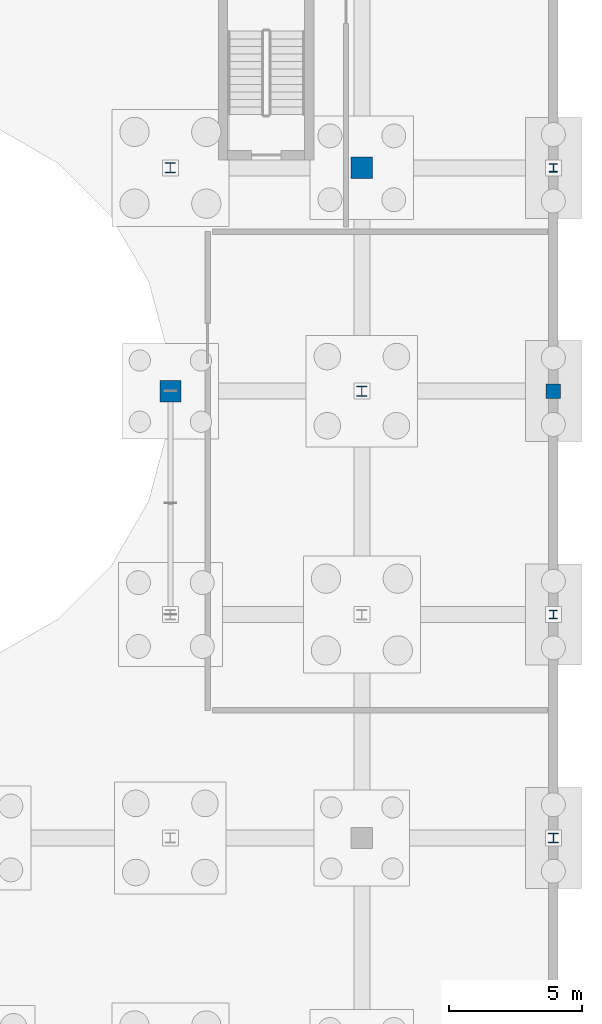
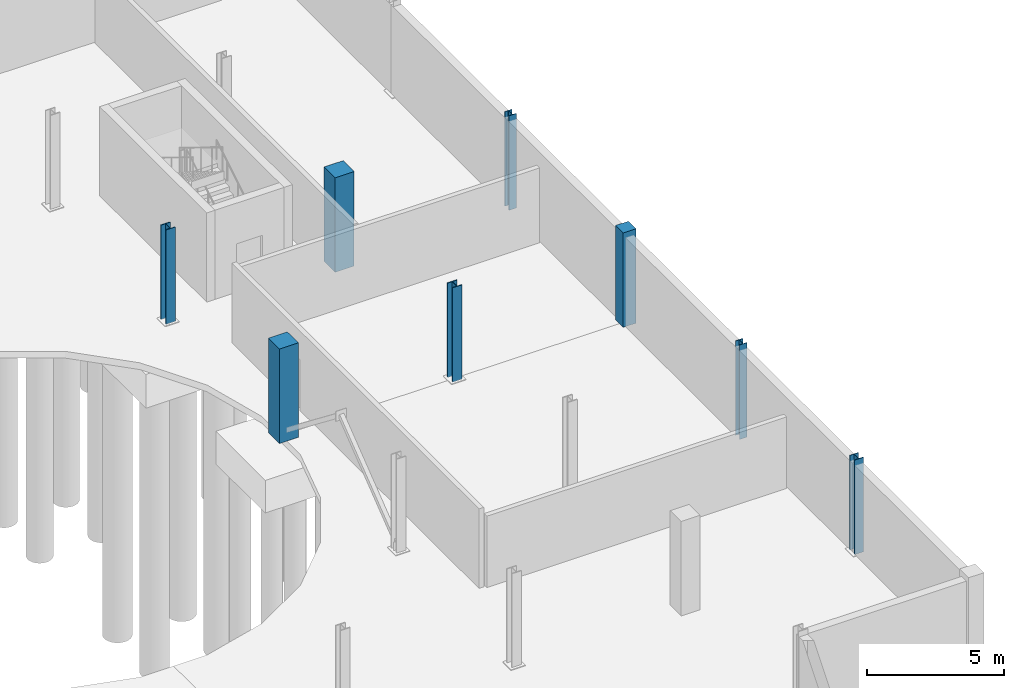
# One storey, part 12 of 32: 8 columns.
"""IFC4 building model written with IfcOpenShell, lengths in metres."""

from ifc_helpers import new_model, si_unit, direction, frame, origin, origin_2d, place, context, subcontext, project, spatial, rectangle, i_section, extrude, material, material_profile, profile_set, type_object, element, save


model = new_model("IFC4")

# Units and contexts
model_context = context("Model", 3, precision=1e-05, world=origin(), true_north=direction((0.0, 1.0)))
body_context = subcontext(model_context, "Body", "Model", "MODEL_VIEW")
ifc_project = project(units=[si_unit("LENGTHUNIT", "METRE"), si_unit("AREAUNIT", "SQUARE_METRE"), si_unit("VOLUMEUNIT", "CUBIC_METRE"), si_unit("PLANEANGLEUNIT", "RADIAN"), si_unit("MASSUNIT", "GRAM", prefix="KILO")], contexts=[model_context])

# Site, building, storey
site_placement = place(None, origin())
site = spatial("IfcSite", under=ifc_project, at=site_placement, CompositionType="ELEMENT")
building_placement = place(site_placement, origin())
building = spatial("IfcBuilding", under=site, at=building_placement, Name="Qelthora Terrace Specialist Clinic", CompositionType="ELEMENT")
storey_placement = place(building_placement, frame((0.0, 0.0, -4.199951171875)))
storey = spatial("IfcBuildingStorey", under=building, at=storey_placement, Name="B1", CompositionType="ELEMENT", Elevation=-4.199951171875)

# Columns
ifc_material_1 = material(Name="Concrete C40/50", Category="concrete")
ifc_material_profile_1 = material_profile(ifc_material_1, rectangle(XDim=0.550048828125, YDim=0.550048828125, at=origin_2d()), Name="RC550X550")
ifc_profile_set_1 = profile_set([ifc_material_profile_1], Name="Concrete C40/50")
column_type_1 = type_object("IfcColumnType", Name="COL-RC550", PredefinedType="COLUMN", material=ifc_profile_set_1)
column_1_placement = place(storey_placement, frame((50.39990234375, 84.0, 0.0), z_axis=(0.0, 0.0, 1.0), x_axis=(1.0, 0.0, 0.0)))
element("IfcColumn", 1, at=column_1_placement, inside=storey, type_object=column_type_1, Name="Column B1-096", PredefinedType="COLUMN", context=body_context, shape_type="SweptSolid", body=[
    extrude(rectangle(XDim=0.550048828125, YDim=0.550048828125, at=origin_2d()), origin(), (0.0, 0.0, 1.0), 4.199951171875),
])
ifc_material_profile_2 = material_profile(ifc_material_1, rectangle(XDim=0.800048828125, YDim=0.800048828125, at=origin_2d()), Name="RC800X800")
ifc_profile_set_2 = profile_set([ifc_material_profile_2], Name="Concrete C40/50")
column_type_2 = type_object("IfcColumnType", Name="COL-RC800", PredefinedType="COLUMN", material=ifc_profile_set_2)
for number, where, z_axis, x_axis, name in (
    (2, (36.0, 84.0, 0.0), (0.0, 0.0, 1.0), (1.0, 0.0, 0.0), "Column B1-075"),
    (3, (43.199951171875, 92.39990234375, 0.0), (0.0, 0.0, 1.0), (1.0, 0.0, 0.0), "Column B1-090"),
):
    element("IfcColumn", number, at=place(storey_placement, frame(where, z_axis=z_axis, x_axis=x_axis)), inside=storey, type_object=column_type_2, Name=name, PredefinedType="COLUMN", context=body_context, shape_type="SweptSolid", body=[
        extrude(rectangle(XDim=0.800048828125, YDim=0.800048828125, at=origin_2d()), origin(), (0.0, 0.0, 1.0), 4.199951171875),
    ])
ifc_material_2 = material(Name="Steel S355", Category="steel")
ifc_material_profile_3 = material_profile(ifc_material_2, i_section(OverallWidth=0.30810546875, OverallDepth=0.318115234375, WebThickness=0.01318359375, FlangeThickness=0.0205078125, FilletRadius=0.01611328125, at=origin_2d()), Name="W310X129")
ifc_profile_set_3 = profile_set([ifc_material_profile_3], Name="Steel S355")
column_type_3 = type_object("IfcColumnType", Name="COL-W310X129", PredefinedType="COLUMN", material=ifc_profile_set_3)
for number, where, z_axis, x_axis, name in (
    (4, (50.39990234375, 75.60009765625, 0.0), (0.0, 0.0, 1.0), (1.0, 0.0, 0.0), "Column B1-095"),
    (5, (50.39990234375, 92.39990234375, 0.0), (0.0, 0.0, 1.0), (1.0, 0.0, 0.0), "Column B1-097"),
):
    element("IfcColumn", number, at=place(storey_placement, frame(where, z_axis=z_axis, x_axis=x_axis)), inside=storey, type_object=column_type_3, Name=name, PredefinedType="COLUMN", context=body_context, shape_type="SweptSolid", body=[
        extrude(i_section(OverallWidth=0.30810546875, OverallDepth=0.318115234375, WebThickness=0.01318359375, FlangeThickness=0.0205078125, FilletRadius=0.01611328125, at=origin_2d()), origin(), (0.0, 0.0, 1.0), 4.199951171875),
    ])
ifc_material_profile_4 = material_profile(ifc_material_2, i_section(OverallWidth=0.373046875, OverallDepth=0.367919921875, WebThickness=0.014892578125, FlangeThickness=0.02392578125, FilletRadius=0.02001953125, at=origin_2d()), Name="W360X179")
ifc_profile_set_4 = profile_set([ifc_material_profile_4], Name="Steel S355")
column_type_4 = type_object("IfcColumnType", Name="COL-W360X179", PredefinedType="COLUMN", material=ifc_profile_set_4)
column_2_placement = place(storey_placement, frame((50.39990234375, 67.199951171875, 0.0), z_axis=(0.0, 0.0, 1.0), x_axis=(1.0, 0.0, 0.0)))
element("IfcColumn", 6, at=column_2_placement, inside=storey, type_object=column_type_4, Name="Column B1-094", PredefinedType="COLUMN", context=body_context, shape_type="SweptSolid", body=[
    extrude(i_section(OverallWidth=0.373046875, OverallDepth=0.367919921875, WebThickness=0.014892578125, FlangeThickness=0.02392578125, FilletRadius=0.02001953125, at=origin_2d()), origin(), (0.0, 0.0, 1.0), 4.199951171875),
])
ifc_material_profile_5 = material_profile(ifc_material_2, i_section(OverallWidth=0.39794921875, OverallDepth=0.386962890625, WebThickness=0.02099609375, FlangeThickness=0.033203125, FilletRadius=0.02001953125, at=origin_2d()), Name="W360X262")
ifc_profile_set_5 = profile_set([ifc_material_profile_5], Name="Steel S355")
column_type_5 = type_object("IfcColumnType", Name="COL-W360X262", PredefinedType="COLUMN", material=ifc_profile_set_5)
column_3_placement = place(storey_placement, frame((43.199951171875, 84.0, 0.0), z_axis=(0.0, 0.0, 1.0), x_axis=(1.0, 0.0, 0.0)))
element("IfcColumn", 7, at=column_3_placement, inside=storey, type_object=column_type_5, Name="Column B1-089", PredefinedType="COLUMN", context=body_context, shape_type="SweptSolid", body=[
    extrude(i_section(OverallWidth=0.39794921875, OverallDepth=0.386962890625, WebThickness=0.02099609375, FlangeThickness=0.033203125, FilletRadius=0.02001953125, at=origin_2d()), origin(), (0.0, 0.0, 1.0), 4.199951171875),
])
ifc_material_profile_6 = material_profile(ifc_material_2, i_section(OverallWidth=0.39892578125, OverallDepth=0.39306640625, WebThickness=0.022705078125, FlangeThickness=0.035888671875, FilletRadius=0.02001953125, at=origin_2d()), Name="W360X287")
ifc_profile_set_6 = profile_set([ifc_material_profile_6], Name="Steel S355")
column_type_6 = type_object("IfcColumnType", Name="COL-W360X287", PredefinedType="COLUMN", material=ifc_profile_set_6)
column_4_placement = place(storey_placement, frame((36.0, 92.39990234375, 0.0), z_axis=(0.0, 0.0, 1.0), x_axis=(1.0, 0.0, 0.0)))
element("IfcColumn", 8, at=column_4_placement, inside=storey, type_object=column_type_6, Name="Column B1-076", PredefinedType="COLUMN", context=body_context, shape_type="SweptSolid", body=[
    extrude(i_section(OverallWidth=0.39892578125, OverallDepth=0.39306640625, WebThickness=0.022705078125, FlangeThickness=0.035888671875, FilletRadius=0.02001953125, at=origin_2d()), origin(), (0.0, 0.0, 1.0), 4.199951171875),
])

save(model, "model.ifc")
